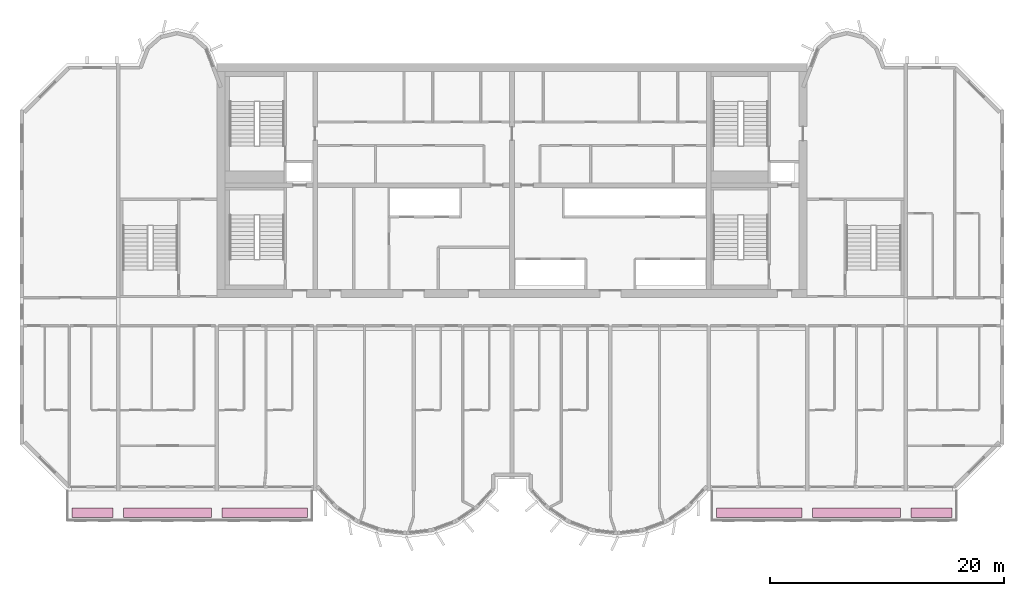
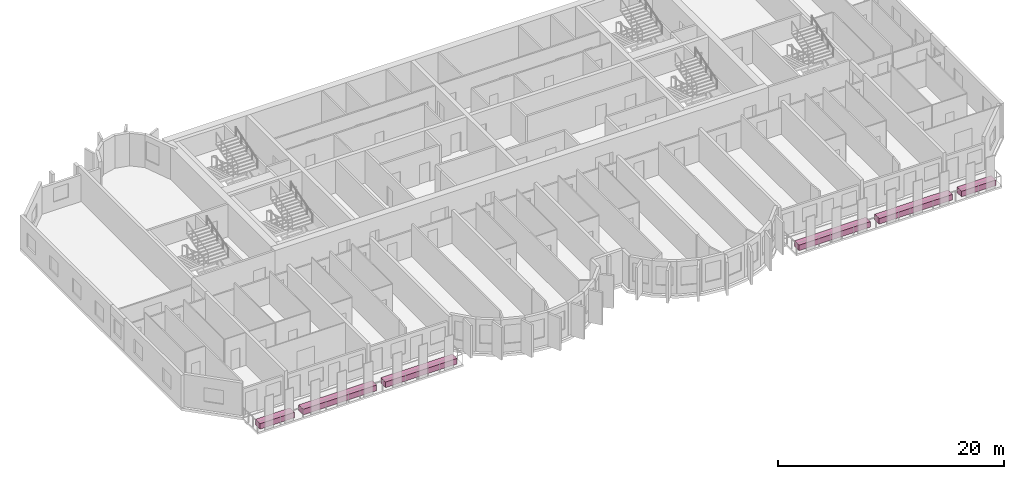
# One storey, part 13 of 13: 6 furniture elements.
"""IFC4 building model written with IfcOpenShell, lengths in metres."""

from ifc_helpers import new_model, si_unit, direction, frame, origin, origin_2d, place, context, subcontext, project, spatial, rectangle, extrude, source, transform, mapped, material, type_object, element, save


model = new_model("IFC4")

# Units and contexts
model_context = context("Model", 3, precision=1e-05, world=origin(), true_north=direction((0.0, 1.0)))
body_context = subcontext(model_context, "Body", "Model", "MODEL_VIEW")
ifc_project = project(units=[si_unit("LENGTHUNIT", "METRE"), si_unit("AREAUNIT", "SQUARE_METRE"), si_unit("VOLUMEUNIT", "CUBIC_METRE"), si_unit("PLANEANGLEUNIT", "RADIAN"), si_unit("MASSUNIT", "GRAM", prefix="KILO")], contexts=[model_context])

# Site, building, storey
site_placement = place(None, origin())
site = spatial("IfcSite", under=ifc_project, at=site_placement, CompositionType="ELEMENT")
building_placement = place(site_placement, origin())
building = spatial("IfcBuilding", under=site, at=building_placement, Name="Vanashikhar Sky Hotel", CompositionType="ELEMENT")
storey_placement = place(building_placement, frame((0.0, 0.0, 163.0)))
storey = spatial("IfcBuildingStorey", under=building, at=storey_placement, Name="L39", CompositionType="ELEMENT", Elevation=163.0)

# Furniture
ifc_material = material(Name="Planting soil and shrubs")
furniture_type = type_object("IfcFurnitureType", Name="Planter trough", AssemblyPlace="NOTDEFINED", PredefinedType="USERDEFINED", material=ifc_material)
shared_shape_1 = source(origin(), body_context, "Body", "SweptSolid", [
    extrude(rectangle(XDim=3.5, YDim=0.800048828125, at=origin_2d()), origin(), (0.0, 0.0, 1.0), 0.60009765625),
])
for number, where, z_axis, x_axis, name in (
    (1, (14.60009765625, 3.64990234375, -0.050048828125), (0.0, 0.0, 1.0), (1.0, 0.0, 0.0), "PLANTER with climbers"),
    (2, (86.199951171875, 3.64990234375, -0.050048828125), (0.0, 0.0, 1.0), (1.0, 0.0, 0.0), "PLANTER with climbers"),
):
    element("IfcFurniture", number, at=place(storey_placement, frame(where, z_axis=z_axis, x_axis=x_axis)), inside=storey, type_object=furniture_type, Name=name, ObjectType="PLANTER", PredefinedType="USERDEFINED", context=body_context, shape_type="MappedRepresentation", body=[
        mapped(shared_shape_1, transform((0.0, 0.0, 0.0), scale=1.0)),
    ])
shared_shape_2 = source(origin(), body_context, "Body", "SweptSolid", [
    extrude(rectangle(XDim=7.5, YDim=0.800048828125, at=origin_2d()), origin(), (0.0, 0.0, 1.0), 0.60009765625),
])
for number, where, z_axis, x_axis, name in (
    (3, (21.0, 3.64990234375, -0.050048828125), (0.0, 0.0, 1.0), (1.0, 0.0, 0.0), "PLANTER with climbers"),
    (4, (79.800048828125, 3.64990234375, -0.050048828125), (0.0, 0.0, 1.0), (1.0, 0.0, 0.0), "PLANTER with climbers"),
):
    element("IfcFurniture", number, at=place(storey_placement, frame(where, z_axis=z_axis, x_axis=x_axis)), inside=storey, type_object=furniture_type, Name=name, ObjectType="PLANTER", PredefinedType="USERDEFINED", context=body_context, shape_type="MappedRepresentation", body=[
        mapped(shared_shape_2, transform((0.0, 0.0, 0.0), scale=1.0)),
    ])
shared_shape_3 = source(origin(), body_context, "Body", "SweptSolid", [
    extrude(rectangle(XDim=7.300048828125, YDim=0.800048828125, at=origin_2d()), origin(), (0.0, 0.0, 1.0), 0.60009765625),
])
for number, where, z_axis, x_axis, name in (
    (5, (29.300048828125, 3.64990234375, -0.050048828125), (0.0, 0.0, 1.0), (1.0, 0.0, 0.0), "PLANTER with climbers"),
    (6, (71.5, 3.64990234375, -0.050048828125), (0.0, 0.0, 1.0), (1.0, 0.0, 0.0), "PLANTER with climbers"),
):
    element("IfcFurniture", number, at=place(storey_placement, frame(where, z_axis=z_axis, x_axis=x_axis)), inside=storey, type_object=furniture_type, Name=name, ObjectType="PLANTER", PredefinedType="USERDEFINED", context=body_context, shape_type="MappedRepresentation", body=[
        mapped(shared_shape_3, transform((0.0, 0.0, 0.0), scale=1.0)),
    ])

save(model, "model.ifc")
